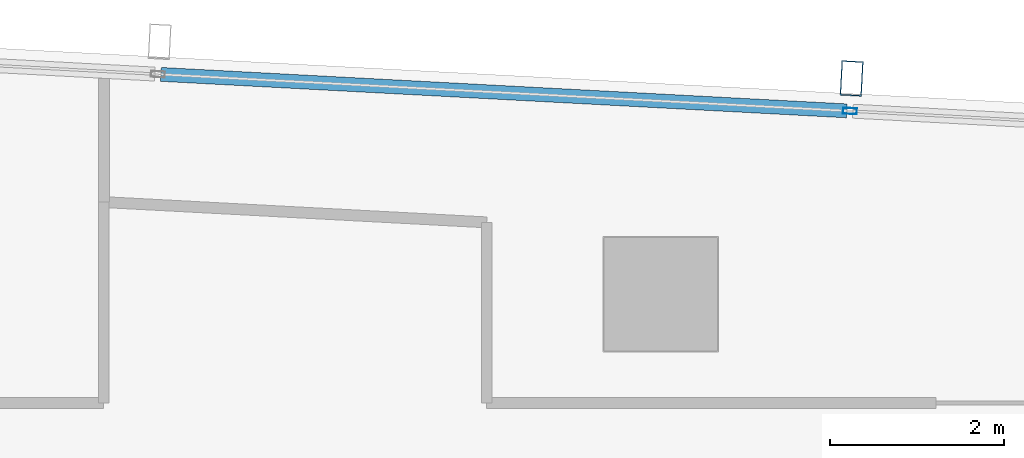
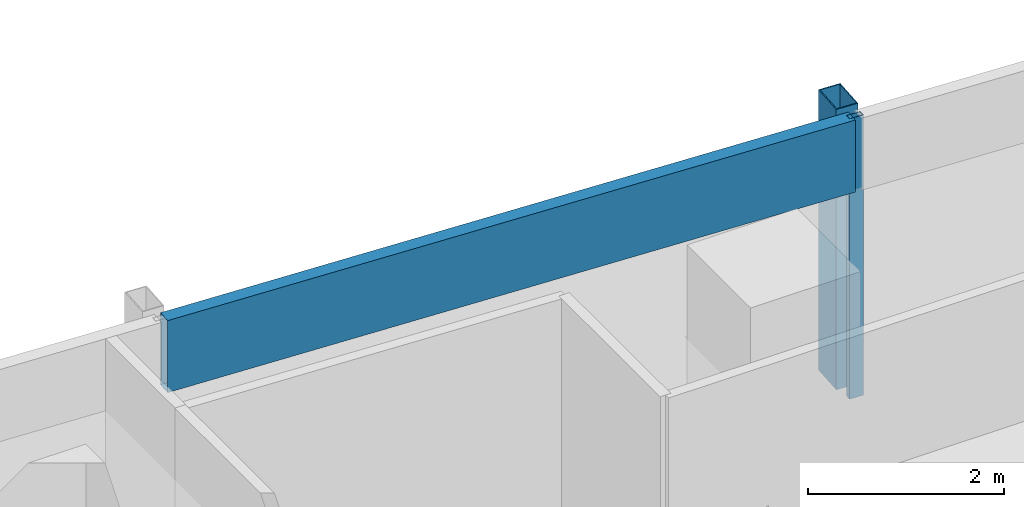
# One storey, part 18 of 29: 3 members, 1 element without a shape of its own.
"""IFC4 building model written with IfcOpenShell, lengths in metres."""

from ifc_helpers import new_model, si_unit, direction, frame, origin, origin_2d, place, context, subcontext, project, spatial, hollow_rectangle, extrude, material, material_profile, profile_set, type_object, element, aggregate, save


model = new_model("IFC4")

# Units and contexts
model_context = context("Model", 3, precision=1e-05, world=origin(), true_north=direction((0.0, 1.0)))
body_context = subcontext(model_context, "Body", "Model", "MODEL_VIEW")
ifc_project = project(units=[si_unit("LENGTHUNIT", "METRE"), si_unit("AREAUNIT", "SQUARE_METRE"), si_unit("VOLUMEUNIT", "CUBIC_METRE"), si_unit("PLANEANGLEUNIT", "RADIAN"), si_unit("MASSUNIT", "GRAM", prefix="KILO")], contexts=[model_context])

# Site, building, storey
site_placement = place(None, origin())
site = spatial("IfcSite", under=ifc_project, at=site_placement, CompositionType="ELEMENT")
building_placement = place(site_placement, origin())
building = spatial("IfcBuilding", under=site, at=building_placement, Name="Rekha Terrace Tower", CompositionType="ELEMENT")
storey_placement = place(building_placement, frame((0.0, 0.0, 276.35009765625)))
storey = spatial("IfcBuildingStorey", under=building, at=storey_placement, Name="L70", CompositionType="ELEMENT", Elevation=276.35009765625)

# Curtain wall, members
ifc_material_1 = material(Name="Aluminium framing", Category="aluminium")
curtain_wall_type = type_object("IfcCurtainWallType", Name="CW3 north unitised glazing", PredefinedType="USERDEFINED", material=ifc_material_1)
curtain_wall_placement = place(storey_placement, origin())
curtain_wall = element("IfcCurtainWall", 1, at=curtain_wall_placement, inside=storey, type_object=curtain_wall_type, Name="CW3 unitised curtain wall", ObjectType="UNITISED CURTAIN WALL", PredefinedType="USERDEFINED")
ifc_material_2 = material(Name="Steel S355 with fluorocarbon finish", Category="steel")
ifc_material_profile_1 = material_profile(ifc_material_2, hollow_rectangle(XDim=0.25, YDim=0.39990234375, WallThickness=0.012451171875, at=origin_2d()), Name="RHS400x250x12.5")
ifc_profile_set_1 = profile_set([ifc_material_profile_1], Name="Steel S355 with fluorocarbon finish")
member_type_1 = type_object("IfcMemberType", Name="BL1 facade blade RHS 400 x 250", PredefinedType="USERDEFINED", material=ifc_profile_set_1)
member_1_placement = place(storey_placement, frame((44.192626953125, 52.87890625, 0.0), z_axis=(0.0, 0.0, 1.0), x_axis=(-0.998590068481, 0.053083661621, 0.0)))
member_1 = element("IfcMember", 2, at=member_1_placement, type_object=member_type_1, Name="Facade blade", ObjectType="FACADE BLADE", PredefinedType="USERDEFINED", context=body_context, shape_type="SweptSolid", body=[
    extrude(hollow_rectangle(XDim=0.25, YDim=0.39990234375, WallThickness=0.012451171875, at=origin_2d()), origin(), (0.0, 0.0, 1.0), 3.5),
])
ifc_material_3 = material(Name="Aluminium mullion section", Category="aluminium")
ifc_material_profile_2 = material_profile(ifc_material_3, hollow_rectangle(XDim=0.070068359375, YDim=0.159912109375, WallThickness=0.00390625, at=origin_2d()), Name="AL RHS 70x160")
ifc_profile_set_2 = profile_set([ifc_material_profile_2], Name="Aluminium mullion section")
member_type_2 = type_object("IfcMemberType", Name="CW3 mullion RHS 70 x 160", PredefinedType="MULLION", material=ifc_profile_set_2)
member_2_placement = place(storey_placement, frame((44.1728515625, 52.50439453125, 0.0), z_axis=(0.0, 0.0, 1.0), x_axis=(-0.053083275524, -0.998590089005, 0.0)))
member_2 = element("IfcMember", 3, at=member_2_placement, type_object=member_type_2, Name="CW3 mullion 3", PredefinedType="MULLION", context=body_context, shape_type="SweptSolid", body=[
    extrude(hollow_rectangle(XDim=0.070068359375, YDim=0.159912109375, WallThickness=0.00390625, at=origin_2d()), origin(), (0.0, 0.0, 1.0), 3.5),
])
ifc_material_4 = material(Name="Insulated aluminium spandrel box", Category="aluminium")
ifc_material_profile_3 = material_profile(ifc_material_4, hollow_rectangle(XDim=0.159912109375, YDim=0.89990234375, WallThickness=0.0029296875, at=origin_2d()), Name="AL SPANDREL BOX 160x900")
ifc_profile_set_3 = profile_set([ifc_material_profile_3], Name="Insulated aluminium spandrel box")
member_type_3 = type_object("IfcMemberType", Name="CW3 spandrel transom 160 x 900", PredefinedType="USERDEFINED", material=ifc_profile_set_3)
member_3_placement = place(storey_placement, frame((44.137939453125, 52.506103515625, 3.0498046875), z_axis=(-0.998589828491, 0.053088176024, 0.0), x_axis=(-0.053088176024, -0.998589828491, 0.0)))
member_3 = element("IfcMember", 4, at=member_3_placement, type_object=member_type_3, Name="CW3 spandrel transom 3", ObjectType="TRANSOM", PredefinedType="USERDEFINED", context=body_context, shape_type="SweptSolid", body=[
    extrude(hollow_rectangle(XDim=0.159912109375, YDim=0.89990234375, WallThickness=0.0029296875, at=origin_2d()), origin(), (0.0, 0.0, 1.0), 7.8916015625),
])
aggregate(curtain_wall, [member_2, member_3, member_1])

save(model, "model.ifc")
